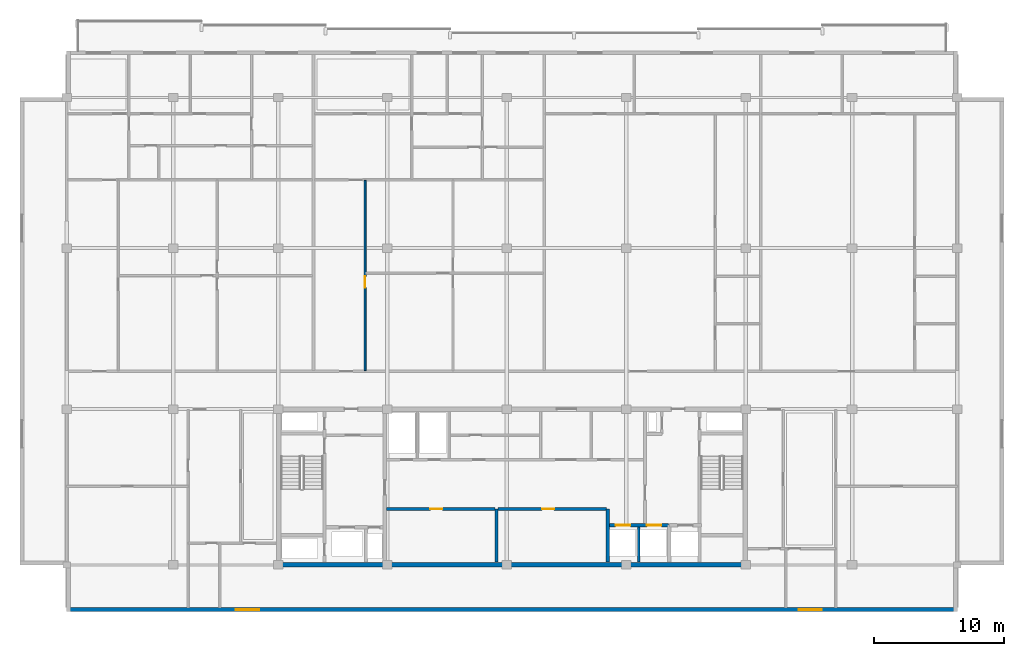
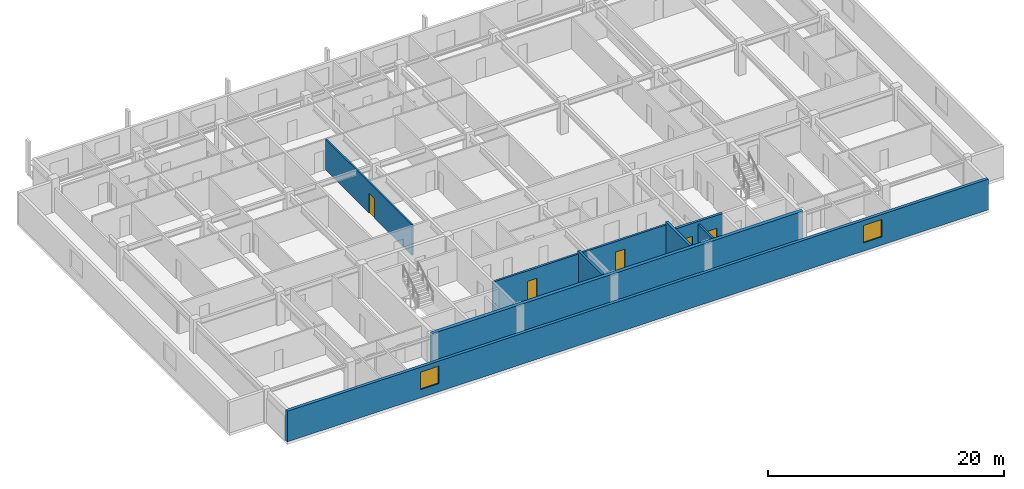
# One storey, part 4 of 11: 9 walls, 5 doors, 2 windows, 7 openings.
"""IFC4 building model written with IfcOpenShell, lengths in metres."""

import ifcopenshell
import ifcopenshell.guid

model = None  # the IFC model being written
_history = None  # IfcOwnerHistory: only IFC2X3 demands one
_inside = {}  # id of a spatial element -> (the spatial element, [elements in it])
_under = {}  # id of a project, library or spatial element -> (it, [spatial elements below it])
_declared = {}  # id of a project -> (the project, [libraries it declares])
_typed = {}  # id of a type object -> (the type object, [elements of that type])
_made_of = {}  # id of a material, layer set ... -> (it, [elements and type objects made of it])


def new_model(schema):
    """Start an empty IFC model of exactly this schema.

    Asked for "IFC4X3", IfcOpenShell would pick the latest addendum, in which some entities
    have other attributes; the version numbers below select the first issue.
    IFC2X3 requires an IfcOwnerHistory on every rooted entity: one is made here for all.
    """
    global model, _history
    if schema == "IFC4X3":
        model = ifcopenshell.file(schema_version=(4, 3, 0, 0))
    else:
        model = ifcopenshell.file(schema=schema)
    _inside.clear()
    _under.clear()
    _declared.clear()
    _typed.clear()
    _made_of.clear()
    _history = None
    if model.schema == "IFC2X3":
        org = make("IfcOrganization", Name="unknown")
        user = make(
            "IfcPersonAndOrganization",
            ThePerson=make("IfcPerson", FamilyName="unknown"),
            TheOrganization=org,
        )
        app = make(
            "IfcApplication",
            ApplicationDeveloper=org,
            Version="unknown",
            ApplicationFullName="unknown",
            ApplicationIdentifier="unknown",
        )
        _history = make(
            "IfcOwnerHistory",
            OwningUser=user,
            OwningApplication=app,
            ChangeAction="ADDED",
            CreationDate=0,
        )
    return model


def make(cls, **values):
    """One entity of the class cls with the attributes given. An attribute that is None is left unset."""
    return model.create_entity(
        cls, **{name: value for name, value in values.items() if value is not None}
    )


def rooted(cls, **values):
    """An entity with a GlobalId (a new one), such as an element, a storey or a relation."""
    return make(cls, GlobalId=ifcopenshell.guid.new(), OwnerHistory=_history, **values)


def si_unit(unit_type, name, prefix=None):
    """IfcSIUnit, for example si_unit("LENGTHUNIT", "METRE", prefix="MILLI")."""
    return make("IfcSIUnit", UnitType=unit_type, Prefix=prefix, Name=name)


def assignment(units):
    """IfcUnitAssignment: the units of a project."""
    return None if units is None else make("IfcUnitAssignment", Units=units)


def point(xyz):
    """IfcCartesianPoint."""
    return None if xyz is None else make("IfcCartesianPoint", Coordinates=xyz)


def direction(xyz):
    """IfcDirection."""
    return None if xyz is None else make("IfcDirection", DirectionRatios=xyz)


def frame(location, z_axis=None, x_axis=None):
    """IfcAxis2Placement3D, a coordinate frame: its origin and axes. An axis left out is left unset."""
    return make(
        "IfcAxis2Placement3D",
        Location=point(location),
        Axis=direction(z_axis),
        RefDirection=direction(x_axis),
    )


def frame_2d(location, x_axis=None):
    """IfcAxis2Placement2D, a coordinate frame in the plane: its origin and x axis."""
    return make(
        "IfcAxis2Placement2D", Location=point(location), RefDirection=direction(x_axis)
    )


def origin():
    """The frame at (0, 0, 0) with its axes left unset."""
    return frame((0.0, 0.0, 0.0))


def place(relative_to, where):
    """IfcLocalPlacement: puts the frame where relative to a parent placement (None: the world)."""
    return make(
        "IfcLocalPlacement", PlacementRelTo=relative_to, RelativePlacement=where
    )


def context(
    kind, dimensions, precision=None, world=None, true_north=None, identifier=None
):
    """IfcGeometricRepresentationContext, for example the 3D "Model" context."""
    return make(
        "IfcGeometricRepresentationContext",
        ContextIdentifier=identifier,
        ContextType=kind,
        CoordinateSpaceDimension=dimensions,
        Precision=precision,
        WorldCoordinateSystem=world,
        TrueNorth=true_north,
    )


def subcontext(parent, identifier, kind, view, scale=None):
    """IfcGeometricRepresentationSubContext, for example "Body" below "Model"."""
    return make(
        "IfcGeometricRepresentationSubContext",
        ContextIdentifier=identifier,
        ContextType=kind,
        ParentContext=parent,
        TargetScale=scale,
        TargetView=view,
    )


def project(units=None, contexts=None):
    """IfcProject with its units and contexts."""
    return rooted(
        "IfcProject",
        Name="project",
        RepresentationContexts=contexts,
        UnitsInContext=assignment(units),
    )


def spatial(cls, under=None, at=None, **own):
    """A site, building, storey or space (cls), placed at a placement, below another one or the project."""
    s = rooted(cls, ObjectPlacement=at, **own)
    if under is not None:
        _under.setdefault(under.id(), (under, []))[1].append(s)
    return s


def profile(cls, at=None, kind="AREA", **sizes):
    """A parametric profile (cls). Its sizes go by their IFC names, for example OverallWidth=200.0."""
    return make(cls, ProfileType=kind, Position=at, **sizes)


def rectangle(**sizes):
    """IfcRectangleProfileDef."""
    return profile("IfcRectangleProfileDef", **sizes)


def extrude(swept, where, along, depth):
    """IfcExtrudedAreaSolid: the profile swept, set in the frame where, extruded along a direction by depth."""
    return make(
        "IfcExtrudedAreaSolid",
        SweptArea=swept,
        Position=where,
        ExtrudedDirection=direction(along),
        Depth=depth,
    )


def shape(context_of_items, identifier, shape_type, items):
    """IfcShapeRepresentation: the items that make up one representation, for example the "Body"."""
    return make(
        "IfcShapeRepresentation",
        ContextOfItems=context_of_items,
        RepresentationIdentifier=identifier,
        RepresentationType=shape_type,
        Items=items,
    )


def material(Name=None, Category=None):
    """IfcMaterial."""
    return make("IfcMaterial", Name=Name, Category=Category)


def layer(
    of_material, thickness, ventilated=None, Name=None, Category=None, Priority=None
):
    """IfcMaterialLayer: one layer of a wall or slab, of a material (None: an air gap)."""
    return make(
        "IfcMaterialLayer",
        Material=of_material,
        LayerThickness=thickness,
        IsVentilated=ventilated,
        Name=Name,
        Category=Category,
        Priority=Priority,
    )


def layer_set(layers, Name=None):
    """IfcMaterialLayerSet."""
    return make("IfcMaterialLayerSet", MaterialLayers=layers, LayerSetName=Name)


def made_of(thing, what):
    """Note that an element or type object is made of a material, layer set ...; save() writes the relation."""
    if what is not None:
        _made_of.setdefault(what.id(), (what, []))[1].append(thing)
    return thing


def type_object(cls, material=None, **own):
    """A type object (cls), such as IfcWallType, which elements share."""
    return made_of(rooted(cls, **own), material)


def element(
    cls,
    number,
    at=None,
    inside=None,
    cuts=None,
    type_object=None,
    material=None,
    context=None,
    identifier="Body",
    shape_type=None,
    held_by="IfcProductDefinitionShape",
    body=None,
    shapes=None,
    **own,
):
    """One element of the class cls, such as IfcWall. Its Tag is "e" and its number.

    at: its placement. inside: the storey or other place that contains it. cuts: it is an
    opening in that element (IfcRelVoidsElement). A single representation is given by context,
    identifier, shape_type and body (its items); several are given by shapes. held_by: the class
    of the entity that holds the representations. save() writes the other relations.
    """
    e = rooted(cls, Tag="e%d" % number, ObjectPlacement=at, **own)
    if body is not None:
        shapes = [shape(context, identifier, shape_type, body)]
    if shapes is not None:
        e.Representation = make(held_by, Representations=shapes)
    if inside is not None:
        _inside.setdefault(inside.id(), (inside, []))[1].append(e)
    if cuts is not None:
        rooted(
            "IfcRelVoidsElement", RelatingBuildingElement=cuts, RelatedOpeningElement=e
        )
    if type_object is not None:
        _typed.setdefault(type_object.id(), (type_object, []))[1].append(e)
    return made_of(e, material)


def fill(opening, filler):
    """IfcRelFillsElement: the door or window that sits in an opening."""
    return rooted(
        "IfcRelFillsElement",
        RelatingOpeningElement=opening,
        RelatedBuildingElement=filler,
    )


def aggregate(whole, parts):
    """IfcRelAggregates: a whole, such as a stair, and the parts it consists of."""
    return rooted("IfcRelAggregates", RelatingObject=whole, RelatedObjects=parts)


def save(model, path):
    """Write the relations noted so far, then the file.

    IfcRelAggregates (storeys below a building ...), IfcRelContainedInSpatialStructure (elements
    in a storey), IfcRelDefinesByType, IfcRelAssociatesMaterial and IfcRelDeclares: one each for
    every whole, place, type object, material and project.
    """
    for whole, parts in _under.values():
        aggregate(whole, parts)
    for where, things in _inside.values():
        rooted(
            "IfcRelContainedInSpatialStructure",
            RelatedElements=things,
            RelatingStructure=where,
        )
    for kind, things in _typed.values():
        rooted("IfcRelDefinesByType", RelatedObjects=things, RelatingType=kind)
    for what, things in _made_of.values():
        rooted("IfcRelAssociatesMaterial", RelatedObjects=things, RelatingMaterial=what)
    for by, libraries in _declared.values():
        rooted("IfcRelDeclares", RelatingContext=by, RelatedDefinitions=libraries)
    model.write(path)


model = new_model("IFC4")

# Units and contexts
model_context = context("Model", 3, precision=1e-05, world=origin(), true_north=direction((0.0, 1.0)))
body_context = subcontext(model_context, "Body", "Model", "MODEL_VIEW")
ifc_project = project(units=[si_unit("LENGTHUNIT", "METRE"), si_unit("AREAUNIT", "SQUARE_METRE"), si_unit("VOLUMEUNIT", "CUBIC_METRE"), si_unit("PLANEANGLEUNIT", "RADIAN"), si_unit("MASSUNIT", "GRAM", prefix="KILO")], contexts=[model_context])

# Site, building, storey
site_placement = place(None, origin())
site = spatial("IfcSite", under=ifc_project, at=site_placement, CompositionType="ELEMENT")
building_placement = place(site_placement, origin())
building = spatial("IfcBuilding", under=site, at=building_placement, Name="Korimba Cascade Residences", CompositionType="ELEMENT")
storey_placement = place(building_placement, frame((0.0, 0.0, 256.25)))
storey = spatial("IfcBuildingStorey", under=building, at=storey_placement, Name="L74", CompositionType="ELEMENT", Elevation=256.25)

# Wall, openings, windows
ifc_material_1 = material(Name="Precast concrete C40/50", Category="concrete")
ifc_layer_1 = layer(ifc_material_1, 0.300048828125)
ifc_layer_set_1 = layer_set([ifc_layer_1], Name="Precast concrete C40/50")
wall_type_1 = type_object("IfcWallType", Name="EW-STONE-300", PredefinedType="STANDARD", material=ifc_layer_set_1)
wall_1_placement = place(storey_placement, frame((59.800048828125, 51.75, 0.0), z_axis=(0.0, 0.0, 1.0), x_axis=(1.0, 0.0, 0.0)))
wall_1 = element("IfcWall", 1, at=wall_1_placement, inside=storey, type_object=wall_type_1, Name="L74 T1 Perimeter Stone Wall E00", PredefinedType="STANDARD", context=body_context, shape_type="SweptSolid", body=[
    extrude(rectangle(XDim=68.599853515625, YDim=0.300048828125, at=frame_2d((34.2998046875, 0.0))), origin(), (0.0, 0.0, 1.0), 3.169921875),
])
opening_1_placement = place(wall_1_placement, frame((13.02490234375, 0.0, 0.85009765625)))
opening_1 = element("IfcOpeningElement", 2, at=opening_1_placement, cuts=wall_1, Name="Opening W-02", PredefinedType="OPENING", context=body_context, shape_type="SweptSolid", body=[
    extrude(rectangle(XDim=1.800048828125, YDim=1.800048828125, at=frame_2d((0.89990234375, 0.89990234375))), frame((0.0, 0.16015625, 0.0), z_axis=(0.0, -1.0, 0.0), x_axis=(1.0, 0.0, 0.0)), (0.0, 0.0, 1.0), 0.320068359375),
])
opening_2_placement = place(wall_1_placement, frame((56.375, 0.0, 0.85009765625)))
opening_2 = element("IfcOpeningElement", 3, at=opening_2_placement, cuts=wall_1, Name="Opening W-02", PredefinedType="OPENING", context=body_context, shape_type="SweptSolid", body=[
    extrude(rectangle(XDim=1.800048828125, YDim=1.800048828125, at=frame_2d((0.89990234375, 0.89990234375))), frame((0.0, 0.16015625, 0.0), z_axis=(0.0, -1.0, 0.0), x_axis=(1.0, 0.0, 0.0)), (0.0, 0.0, 1.0), 0.320068359375),
])
ifc_material_2 = material(Name="Double-Glazed Aluminium Window", Category="aluminium")
window_type = type_object("IfcWindowType", Name="WIN-BED-1800", PartitioningType="SINGLE_PANEL", PredefinedType="WINDOW", material=ifc_material_2)
window_1_placement = place(opening_1_placement, origin())
window_1 = element("IfcWindow", 4, at=window_1_placement, inside=storey, type_object=window_type, Name="L74 T1 South Corner Bedroom Window 1", OverallHeight=1.800048828125, OverallWidth=1.800048828125, PartitioningType="SINGLE_PANEL", PredefinedType="WINDOW", context=body_context, shape_type="SweptSolid", body=[
    extrude(rectangle(XDim=1.800048828125, YDim=1.800048828125, at=frame_2d((0.89990234375, 0.89990234375))), frame((0.0, 0.030029296875, 0.0), z_axis=(0.0, -1.0, 0.0), x_axis=(1.0, 0.0, 0.0)), (0.0, 0.0, 1.0), 0.06005859375),
])
fill(opening_1, window_1)
window_2_placement = place(opening_2_placement, origin())
window_2 = element("IfcWindow", 5, at=window_2_placement, inside=storey, type_object=window_type, Name="L74 T1 South Corner Bedroom Window 2", OverallHeight=1.800048828125, OverallWidth=1.800048828125, PartitioningType="SINGLE_PANEL", PredefinedType="WINDOW", context=body_context, shape_type="SweptSolid", body=[
    extrude(rectangle(XDim=1.800048828125, YDim=1.800048828125, at=frame_2d((0.89990234375, 0.89990234375))), frame((0.0, 0.030029296875, 0.0), z_axis=(0.0, -1.0, 0.0), x_axis=(1.0, 0.0, 0.0)), (0.0, 0.0, 1.0), 0.06005859375),
])
fill(opening_2, window_2)

# Wall
ifc_material_3 = material(Name="Concrete C65/80", Category="concrete")
ifc_layer_2 = layer(ifc_material_3, 0.35009765625)
ifc_layer_set_2 = layer_set([ifc_layer_2], Name="Concrete C65/80")
wall_type_2 = type_object("IfcWallType", Name="WAL-CORE-350", PredefinedType="SHEAR", material=ifc_layer_set_2)
wall_2_placement = place(storey_placement, frame((75.949951171875, 55.199951171875, 0.0), z_axis=(0.0, 0.0, 1.0), x_axis=(1.0, 0.0, 0.0)))
element("IfcWall", 6, at=wall_2_placement, inside=storey, type_object=wall_type_2, Name="L74 Core Shear Wall CW-L74-T1-S", PredefinedType="SHEAR", context=body_context, shape_type="SweptSolid", body=[
    extrude(rectangle(XDim=36.300048828125, YDim=0.35009765625, at=frame_2d((18.14990234375, 0.0))), origin(), (0.0, 0.0, 1.0), 3.449951171875),
])

# Wall, opening, door
ifc_material_4 = material(Name="Insulated Acoustic Stud Partition", Category="gypsum")
ifc_layer_3 = layer(ifc_material_4, 0.14990234375)
ifc_layer_set_3 = layer_set([ifc_layer_3], Name="Insulated Acoustic Stud Partition")
wall_type_3 = type_object("IfcWallType", Name="WAL-PART-150", PredefinedType="PARTITIONING", material=ifc_layer_set_3)
wall_3_placement = place(storey_placement, frame((82.779052734375, 70.159912109375, 0.0), z_axis=(0.0, 0.0, 1.0), x_axis=(0.0, 1.0, 0.0)))
wall_3 = element("IfcWall", 7, at=wall_3_placement, inside=storey, type_object=wall_type_3, Name="L74 Partition Wall WAL-L74-T1-U02-FV", PredefinedType="PARTITIONING", context=body_context, shape_type="SweptSolid", body=[
    extrude(rectangle(XDim=14.650146484375, YDim=0.14990234375, at=frame_2d((7.3251953125, 0.0))), origin(), (0.0, 0.0, 1.0), 3.169921875),
])
opening_3_placement = place(wall_3_placement, frame((6.375, 0.0, 0.0)))
opening_3 = element("IfcOpeningElement", 8, at=opening_3_placement, cuts=wall_3, Name="Opening D-IN2", PredefinedType="OPENING", context=body_context, shape_type="SweptSolid", body=[
    extrude(rectangle(XDim=0.8798828125, YDim=2.06005859375, at=frame_2d((0.43994140625, 1.030029296875))), frame((0.0, 0.0849609375, 0.0), z_axis=(0.0, -1.0, 0.0), x_axis=(1.0, 0.0, 0.0)), (0.0, 0.0, 1.0), 0.169921875),
])
ifc_material_5 = material(Name="Acoustic Timber Bedroom Door", Category="wood")
door_type_1 = type_object("IfcDoorType", Name="DR-INT-880", OperationType="NOTDEFINED", PredefinedType="DOOR", material=ifc_material_5)
door_1_placement = place(opening_3_placement, origin())
door_1 = element("IfcDoor", 9, at=door_1_placement, inside=storey, type_object=door_type_1, Name="L74-T1-U02 Media Lounge Door", OperationType="SINGLE_SWING_LEFT", OverallHeight=2.06005859375, OverallWidth=0.8798828125, PredefinedType="DOOR", context=body_context, shape_type="SweptSolid", body=[
    extrude(rectangle(XDim=0.8798828125, YDim=2.06005859375, at=frame_2d((0.43994140625, 1.030029296875))), frame((0.0, 0.02490234375, 0.0), z_axis=(0.0, -1.0, 0.0), x_axis=(1.0, 0.0, 0.0)), (0.0, 0.0, 1.0), 0.050048828125),
])
fill(opening_3, door_1)

ifc_material_6 = material(Name="Concrete C40/50", Category="concrete")
ifc_layer_4 = layer(ifc_material_6, 0.199951171875)
ifc_layer_set_4 = layer_set([ifc_layer_4], Name="Concrete C40/50")
wall_type_4 = type_object("IfcWallType", Name="WAL-PART-200", PredefinedType="PARTITIONING", material=ifc_layer_set_4)
wall_4_placement = place(storey_placement, frame((84.419921875, 59.5, 0.0), z_axis=(0.0, 0.0, 1.0), x_axis=(1.0, 0.0, 0.0)))
wall_4 = element("IfcWall", 10, at=wall_4_placement, inside=storey, type_object=wall_type_4, Name="L74 Partition Wall CW-L74-T1-B1RN", PredefinedType="PARTITIONING", context=body_context, shape_type="SweptSolid", body=[
    extrude(rectangle(XDim=8.360107421875, YDim=0.199951171875, at=frame_2d((4.18017578125, 0.0))), origin(), (0.0, 0.0, 1.0), 3.169921875),
])
opening_4_placement = place(wall_4_placement, frame((3.39990234375, 0.0, 0.0)))
opening_4 = element("IfcOpeningElement", 11, at=opening_4_placement, cuts=wall_4, Name="Opening D-ST1", PredefinedType="OPENING", context=body_context, shape_type="SweptSolid", body=[
    extrude(rectangle(XDim=0.919921875, YDim=2.080078125, at=frame_2d((0.4599609375, 1.0400390625))), frame((0.0, 0.10986328125, 0.0), z_axis=(0.0, -1.0, 0.0), x_axis=(1.0, 0.0, 0.0)), (0.0, 0.0, 1.0), 0.219970703125),
])
ifc_material_7 = material(Name="Fire-Rated Core Store Door", Category="wood")
door_type_2 = type_object("IfcDoorType", Name="DR-FD60-920", OperationType="NOTDEFINED", PredefinedType="DOOR", material=ifc_material_7)
door_2_placement = place(opening_4_placement, origin())
door_2 = element("IfcDoor", 12, at=door_2_placement, inside=storey, type_object=door_type_2, Name="L74 Resident Storage Door", OperationType="SINGLE_SWING_RIGHT", OverallHeight=2.080078125, OverallWidth=0.919921875, PredefinedType="DOOR", context=body_context, shape_type="SweptSolid", body=[
    extrude(rectangle(XDim=0.919921875, YDim=2.080078125, at=frame_2d((0.4599609375, 1.0400390625))), frame((0.0, 0.02490234375, 0.0), z_axis=(0.0, -1.0, 0.0), x_axis=(1.0, 0.0, 0.0)), (0.0, 0.0, 1.0), 0.050048828125),
])
fill(opening_4, door_2)

wall_5_placement = place(storey_placement, frame((93.02001953125, 59.5, 0.0), z_axis=(0.0, 0.0, 1.0), x_axis=(1.0, 0.0, 0.0)))
wall_5 = element("IfcWall", 13, at=wall_5_placement, inside=storey, type_object=wall_type_4, Name="L74 Partition Wall CW-L74-T1-B2RN", PredefinedType="PARTITIONING", context=body_context, shape_type="SweptSolid", body=[
    extrude(rectangle(XDim=8.35986328125, YDim=0.199951171875, at=frame_2d((4.179931640625, 0.0))), origin(), (0.0, 0.0, 1.0), 3.169921875),
])
opening_5_placement = place(wall_5_placement, frame((3.39990234375, 0.0, 0.0)))
opening_5 = element("IfcOpeningElement", 14, at=opening_5_placement, cuts=wall_5, Name="Opening D-ST1", PredefinedType="OPENING", context=body_context, shape_type="SweptSolid", body=[
    extrude(rectangle(XDim=0.919921875, YDim=2.080078125, at=frame_2d((0.4599609375, 1.0400390625))), frame((0.0, 0.10986328125, 0.0), z_axis=(0.0, -1.0, 0.0), x_axis=(1.0, 0.0, 0.0)), (0.0, 0.0, 1.0), 0.219970703125),
])
door_3_placement = place(opening_5_placement, origin())
door_3 = element("IfcDoor", 15, at=door_3_placement, inside=storey, type_object=door_type_2, Name="L74 Wine Cellar Store Door", OperationType="SINGLE_SWING_LEFT", OverallHeight=2.080078125, OverallWidth=0.919921875, PredefinedType="DOOR", context=body_context, shape_type="SweptSolid", body=[
    extrude(rectangle(XDim=0.919921875, YDim=2.080078125, at=frame_2d((0.4599609375, 1.0400390625))), frame((0.0, 0.02490234375, 0.0), z_axis=(0.0, -1.0, 0.0), x_axis=(1.0, 0.0, 0.0)), (0.0, 0.0, 1.0), 0.050048828125),
])
fill(opening_5, door_3)

# Walls
wall_6_placement = place(storey_placement, frame((103.85009765625, 55.39990234375, 0.0), z_axis=(0.0, 0.0, 1.0), x_axis=(0.0, 1.0, 0.0)))
element("IfcWall", 16, at=wall_6_placement, inside=storey, type_object=wall_type_4, Name="L74 Partition Wall CW-L74-T1-B3D1", PredefinedType="PARTITIONING", context=body_context, shape_type="SweptSolid", body=[
    extrude(rectangle(XDim=2.72021484375, YDim=0.199951171875, at=frame_2d((1.360107421875, 0.0))), origin(), (0.0, 0.0, 1.0), 3.169921875),
])
ifc_material_8 = material(Name="Concrete C50/60", Category="concrete")
ifc_layer_5 = layer(ifc_material_8, 0.25)
ifc_layer_set_5 = layer_set([ifc_layer_5], Name="Concrete C50/60")
wall_type_5 = type_object("IfcWallType", Name="WAL-SHAFT-250", PredefinedType="SHEAR", material=ifc_layer_set_5)
for number, where, z_axis, x_axis, name in (
    (17, (92.89990234375, 55.39990234375, 0.0), (0.0, 0.0, 1.0), (0.0, 1.0, 0.0), "L74 Core Shear Wall CW-L74-T1-B12DIV"),
    (18, (101.47998046875, 55.39990234375, 0.0), (0.0, 0.0, 1.0), (0.0, 1.0, 0.0), "L74 Core Shear Wall CW-L74-T1-B23DIV"),
):
    element("IfcWall", number, at=place(storey_placement, frame(where, z_axis=z_axis, x_axis=x_axis)), inside=storey, type_object=wall_type_5, Name=name, PredefinedType="SHEAR", context=body_context, shape_type="SweptSolid", body=[
        extrude(rectangle(XDim=4.10009765625, YDim=0.25, at=frame_2d((2.050048828125, 0.0))), origin(), (0.0, 0.0, 1.0), 3.449951171875),
    ])

# Wall, openings, doors
wall_7_placement = place(storey_placement, frame((101.550048828125, 58.25, 0.0), z_axis=(0.0, 0.0, 1.0), x_axis=(1.0, 0.0, 0.0)))
wall_7 = element("IfcWall", 19, at=wall_7_placement, inside=storey, type_object=wall_type_5, Name="L74 Core Shear Wall CW-L74-T1-B3N", PredefinedType="SHEAR", context=body_context, shape_type="SweptSolid", body=[
    extrude(rectangle(XDim=4.599853515625, YDim=0.25, at=frame_2d((2.2998046875, 0.0))), origin(), (0.0, 0.0, 1.0), 3.449951171875),
])
opening_6_placement = place(wall_7_placement, frame((0.5400390625, 0.0, 0.0)))
opening_6 = element("IfcOpeningElement", 20, at=opening_6_placement, cuts=wall_7, Name="Opening LD-01", PredefinedType="OPENING", context=body_context, shape_type="SweptSolid", body=[
    extrude(rectangle(XDim=1.1201171875, YDim=2.1201171875, at=frame_2d((0.56005859375, 1.06005859375))), frame((0.0, 0.135009765625, 0.0), z_axis=(0.0, -1.0, 0.0), x_axis=(1.0, 0.0, 0.0)), (0.0, 0.0, 1.0), 0.27001953125),
])
opening_7_placement = place(wall_7_placement, frame((2.93994140625, 0.0, 0.0)))
opening_7 = element("IfcOpeningElement", 21, at=opening_7_placement, cuts=wall_7, Name="Opening LD-01", PredefinedType="OPENING", context=body_context, shape_type="SweptSolid", body=[
    extrude(rectangle(XDim=1.1201171875, YDim=2.1201171875, at=frame_2d((0.56005859375, 1.06005859375))), frame((0.0, 0.135009765625, 0.0), z_axis=(0.0, -1.0, 0.0), x_axis=(1.0, 0.0, 0.0)), (0.0, 0.0, 1.0), 0.27001953125),
])
ifc_material_9 = material(Name="Stainless Steel Lift Landing Sliding Door", Category="steel")
door_type_3 = type_object("IfcDoorType", Name="DR-LIFT-1100", OperationType="NOTDEFINED", PredefinedType="DOOR", material=ifc_material_9)
door_4_placement = place(opening_6_placement, origin())
door_4 = element("IfcDoor", 22, at=door_4_placement, inside=storey, type_object=door_type_3, Name="L74 Lift Landing Door PL-W7", OperationType="SLIDING_TO_LEFT", OverallHeight=2.1201171875, OverallWidth=1.1201171875, PredefinedType="DOOR", context=body_context, shape_type="SweptSolid", body=[
    extrude(rectangle(XDim=1.1201171875, YDim=2.1201171875, at=frame_2d((0.56005859375, 1.06005859375))), frame((0.0, 0.02490234375, 0.0), z_axis=(0.0, -1.0, 0.0), x_axis=(1.0, 0.0, 0.0)), (0.0, 0.0, 1.0), 0.050048828125),
])
fill(opening_6, door_4)
door_5_placement = place(opening_7_placement, origin())
door_5 = element("IfcDoor", 23, at=door_5_placement, inside=storey, type_object=door_type_3, Name="L74 Lift Landing Door PL-W8", OperationType="SLIDING_TO_LEFT", OverallHeight=2.1201171875, OverallWidth=1.1201171875, PredefinedType="DOOR", context=body_context, shape_type="SweptSolid", body=[
    extrude(rectangle(XDim=1.1201171875, YDim=2.1201171875, at=frame_2d((0.56005859375, 1.06005859375))), frame((0.0, 0.02490234375, 0.0), z_axis=(0.0, -1.0, 0.0), x_axis=(1.0, 0.0, 0.0)), (0.0, 0.0, 1.0), 0.050048828125),
])
fill(opening_7, door_5)

save(model, "model.ifc")
